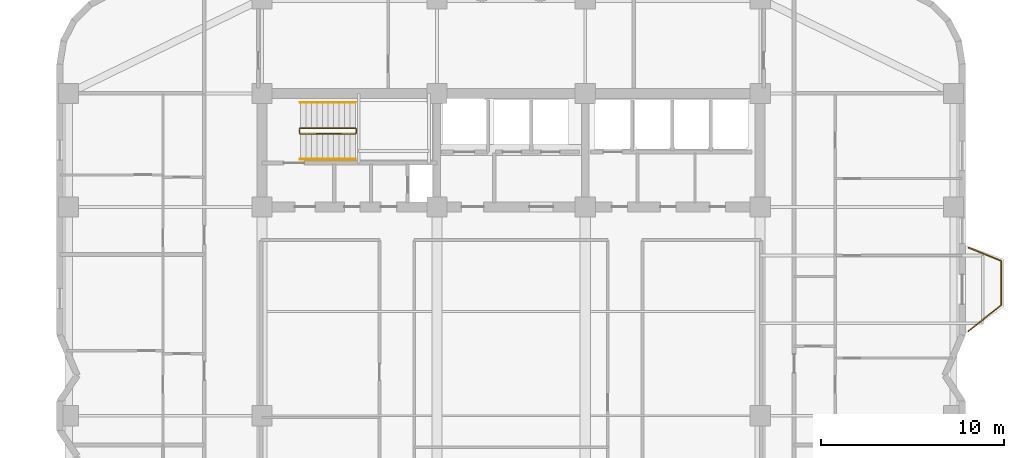
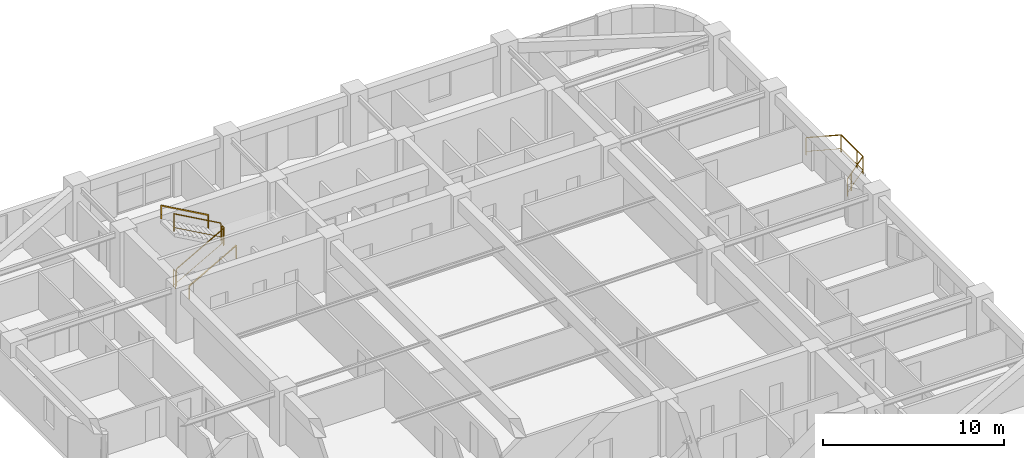
# One storey, part 15 of 15: 7 railings.
"""IFC4 building model written with IfcOpenShell, lengths in metres."""

from ifc_helpers import new_model, si_unit, direction, frame, origin, origin_2d, place, context, subcontext, project, spatial, rectangle, extrude, material, type_object, element, save


model = new_model("IFC4")

# Units and contexts
model_context = context("Model", 3, precision=1e-05, world=origin(), true_north=direction((0.0, 1.0)))
body_context = subcontext(model_context, "Body", "Model", "MODEL_VIEW")
ifc_project = project(units=[si_unit("LENGTHUNIT", "METRE"), si_unit("AREAUNIT", "SQUARE_METRE"), si_unit("VOLUMEUNIT", "CUBIC_METRE"), si_unit("PLANEANGLEUNIT", "RADIAN"), si_unit("MASSUNIT", "GRAM", prefix="KILO")], contexts=[model_context])

# Site, building, storey
site_placement = place(None, origin())
site = spatial("IfcSite", under=ifc_project, at=site_placement, CompositionType="ELEMENT")
building_placement = place(site_placement, origin())
building = spatial("IfcBuilding", under=site, at=building_placement, Name="Svetorya Sky Lyceum", CompositionType="ELEMENT")
storey_placement = place(building_placement, frame((0.0, 0.0, 99.39990234375)))
storey = spatial("IfcBuildingStorey", under=building, at=storey_placement, Name="L24", CompositionType="ELEMENT", Elevation=99.39990234375)

# Railings
ifc_material_1 = material(Name="Laminated safety glass and stainless AISI 316", Category="glass")
railing_type_1 = type_object("IfcRailingType", Name="RL-BAL-1200", PredefinedType="BALUSTRADE", material=ifc_material_1)
railing_1_placement = place(storey_placement, frame((64.169921875, 37.3798828125, 0.0)))
element("IfcRailing", 1, at=railing_1_placement, inside=storey, type_object=railing_type_1, Name="L24 Balcony Balustrade BAL-E1", PredefinedType="BALUSTRADE", context=body_context, shape_type="SweptSolid", body=[
    extrude(rectangle(XDim=0.048095703125, YDim=0.048095703125, at=origin_2d()), frame((0.0, 0.0, 1.17578125), z_axis=(0.926697865975, -0.375807218129, 0.0), x_axis=(0.375807218129, 0.926697865975, 0.0)), (0.0, 0.0, 1.0), 1.9423828125),
    extrude(rectangle(XDim=0.02392578125, YDim=0.02392578125, at=origin_2d()), frame((0.0, 0.0, 0.25), z_axis=(0.926697865975, -0.375807218129, 0.0), x_axis=(0.375807218129, 0.926697865975, 0.0)), (0.0, 0.0, 1.0), 1.9423828125),
    extrude(rectangle(XDim=0.048095703125, YDim=0.048095703125, at=origin_2d()), frame((1.800048828125, -0.72998046875, 1.17578125), z_axis=(0.0, -1.0, 0.0), x_axis=(1.0, 0.0, 0.0)), (0.0, 0.0, 1.0), 2.39990234375),
    extrude(rectangle(XDim=0.02392578125, YDim=0.02392578125, at=origin_2d()), frame((1.800048828125, -0.72998046875, 0.25), z_axis=(0.0, -1.0, 0.0), x_axis=(1.0, 0.0, 0.0)), (0.0, 0.0, 1.0), 2.39990234375),
    extrude(rectangle(XDim=0.048095703125, YDim=0.048095703125, at=origin_2d()), frame((1.800048828125, -3.1298828125, 1.17578125), z_axis=(-0.783008919264, -0.622010476079, 0.0), x_axis=(0.622010476079, -0.783008919264, 0.0)), (0.0, 0.0, 1.0), 2.298828125),
    extrude(rectangle(XDim=0.02392578125, YDim=0.02392578125, at=origin_2d()), frame((1.800048828125, -3.1298828125, 0.25), z_axis=(-0.783008919264, -0.622010476079, 0.0), x_axis=(0.622010476079, -0.783008919264, 0.0)), (0.0, 0.0, 1.0), 2.298828125),
    extrude(rectangle(XDim=0.0419921875, YDim=0.0419921875, at=origin_2d()), origin(), (0.0, 0.0, 1.0), 1.15185546875),
    extrude(rectangle(XDim=0.0419921875, YDim=0.0419921875, at=origin_2d()), frame((1.800048828125, -0.72998046875, 0.0)), (0.0, 0.0, 1.0), 1.15185546875),
    extrude(rectangle(XDim=0.0419921875, YDim=0.0419921875, at=origin_2d()), frame((1.800048828125, -2.47998046875, 0.0)), (0.0, 0.0, 1.0), 1.15185546875),
    extrude(rectangle(XDim=0.0419921875, YDim=0.0419921875, at=origin_2d()), frame((1.800048828125, -3.1298828125, 0.0)), (0.0, 0.0, 1.0), 1.15185546875),
    extrude(rectangle(XDim=0.0419921875, YDim=0.0419921875, at=origin_2d()), frame((0.4296875, -4.218505859375, 0.0)), (0.0, 0.0, 1.0), 1.15185546875),
    extrude(rectangle(XDim=0.0419921875, YDim=0.0419921875, at=origin_2d()), frame((0.0, -4.559814453125, 0.0)), (0.0, 0.0, 1.0), 1.15185546875),
])
ifc_material_2 = material(Name="Painted galvanized stair well guard")
railing_type_2 = type_object("IfcRailingType", Name="RL-STR-GUARD-1200", PredefinedType="GUARDRAIL", material=ifc_material_2)
railing_2_placement = place(storey_placement, frame((27.699951171875, 43.60009765625, 0.168212890625)))
element("IfcRailing", 2, at=railing_2_placement, inside=storey, type_object=railing_type_2, Name="L24 ST-N stair guard 1", PredefinedType="GUARDRAIL", context=body_context, shape_type="SweptSolid", body=[
    extrude(rectangle(XDim=0.048095703125, YDim=0.048095703125, at=origin_2d()), frame((0.0, 0.0, 1.17578125), z_axis=(0.872272294576, 0.0, 0.489020494575), x_axis=(0.0, 1.0, 0.0)), (0.0, 0.0, 1.0), 3.439208984375),
    extrude(rectangle(XDim=0.02392578125, YDim=0.02392578125, at=origin_2d()), frame((0.0, 0.0, 0.25), z_axis=(0.872272294576, 0.0, 0.489020494575), x_axis=(0.0, 1.0, 0.0)), (0.0, 0.0, 1.0), 3.439208984375),
    extrude(rectangle(XDim=0.0419921875, YDim=0.0419921875, at=origin_2d()), origin(), (0.0, 0.0, 1.0), 1.15185546875),
    extrude(rectangle(XDim=0.0419921875, YDim=0.0419921875, at=origin_2d()), frame((3.0, 0.0, 1.681884765625)), (0.0, 0.0, 1.0), 1.15185546875),
])
railing_3_placement = place(storey_placement, frame((30.75, 43.64990234375, 1.85009765625)))
element("IfcRailing", 3, at=railing_3_placement, inside=storey, type_object=railing_type_2, Name="L24 ST-N stair guard 2", PredefinedType="GUARDRAIL", context=body_context, shape_type="SweptSolid", body=[
    extrude(rectangle(XDim=0.048095703125, YDim=0.048095703125, at=origin_2d()), frame((0.0, 0.0, 1.17578125), z_axis=(0.0, 1.0, 0.0), x_axis=(-1.0, 0.0, 0.0)), (0.0, 0.0, 1.0), 0.2001953125),
    extrude(rectangle(XDim=0.02392578125, YDim=0.02392578125, at=origin_2d()), frame((0.0, 0.0, 0.25), z_axis=(0.0, 1.0, 0.0), x_axis=(-1.0, 0.0, 0.0)), (0.0, 0.0, 1.0), 0.2001953125),
    extrude(rectangle(XDim=0.0419921875, YDim=0.0419921875, at=origin_2d()), origin(), (0.0, 0.0, 1.0), 1.15185546875),
    extrude(rectangle(XDim=0.0419921875, YDim=0.0419921875, at=origin_2d()), frame((0.0, 0.2001953125, 0.0)), (0.0, 0.0, 1.0), 1.15185546875),
])
railing_4_placement = place(storey_placement, frame((30.699951171875, 43.89990234375, 2.018310546875)))
element("IfcRailing", 4, at=railing_4_placement, inside=storey, type_object=railing_type_2, Name="L24 ST-N stair guard 3", PredefinedType="GUARDRAIL", context=body_context, shape_type="SweptSolid", body=[
    extrude(rectangle(XDim=0.048095703125, YDim=0.048095703125, at=origin_2d()), frame((0.0, 0.0, 1.17578125), z_axis=(-0.872272294576, 0.0, 0.489020494575), x_axis=(0.0, -1.0, 0.0)), (0.0, 0.0, 1.0), 3.439208984375),
    extrude(rectangle(XDim=0.02392578125, YDim=0.02392578125, at=origin_2d()), frame((0.0, 0.0, 0.25), z_axis=(-0.872272294576, 0.0, 0.489020494575), x_axis=(0.0, -1.0, 0.0)), (0.0, 0.0, 1.0), 3.439208984375),
    extrude(rectangle(XDim=0.0419921875, YDim=0.0419921875, at=origin_2d()), origin(), (0.0, 0.0, 1.0), 1.15185546875),
    extrude(rectangle(XDim=0.0419921875, YDim=0.0419921875, at=origin_2d()), frame((-3.0, 0.0, 1.681884765625)), (0.0, 0.0, 1.0), 1.15185546875),
])
railing_5_placement = place(storey_placement, frame((27.64990234375, 43.64990234375, 0.0)))
element("IfcRailing", 5, at=railing_5_placement, inside=storey, type_object=railing_type_2, Name="L24 ST-N stair guard 4", PredefinedType="GUARDRAIL", context=body_context, shape_type="SweptSolid", body=[
    extrude(rectangle(XDim=0.048095703125, YDim=0.048095703125, at=origin_2d()), frame((0.0, 0.0, 1.17578125), z_axis=(0.0, 1.0, 0.0), x_axis=(-1.0, 0.0, 0.0)), (0.0, 0.0, 1.0), 0.2001953125),
    extrude(rectangle(XDim=0.02392578125, YDim=0.02392578125, at=origin_2d()), frame((0.0, 0.0, 0.25), z_axis=(0.0, 1.0, 0.0), x_axis=(-1.0, 0.0, 0.0)), (0.0, 0.0, 1.0), 0.2001953125),
    extrude(rectangle(XDim=0.0419921875, YDim=0.0419921875, at=origin_2d()), origin(), (0.0, 0.0, 1.0), 1.15185546875),
    extrude(rectangle(XDim=0.0419921875, YDim=0.0419921875, at=origin_2d()), frame((0.0, 0.2001953125, 0.0)), (0.0, 0.0, 1.0), 1.15185546875),
])
ifc_material_3 = material(Name="Brushed stainless AISI 304 stair handrail")
railing_type_3 = type_object("IfcRailingType", Name="RL-STR-HAND-920", PredefinedType="HANDRAIL", material=ifc_material_3)
railing_6_placement = place(storey_placement, frame((27.699951171875, 42.199951171875, 0.168212890625)))
element("IfcRailing", 6, at=railing_6_placement, inside=storey, type_object=railing_type_3, Name="L24 ST-N stair handrail 1", PredefinedType="HANDRAIL", context=body_context, shape_type="SweptSolid", body=[
    extrude(rectangle(XDim=0.048095703125, YDim=0.048095703125, at=origin_2d()), frame((0.0, 0.0, 0.8759765625), z_axis=(0.872272294576, 0.0, 0.489020494575), x_axis=(0.0, 1.0, 0.0)), (0.0, 0.0, 1.0), 3.439208984375),
    extrude(rectangle(XDim=0.0419921875, YDim=0.0419921875, at=origin_2d()), origin(), (0.0, 0.0, 1.0), 0.851806640625),
    extrude(rectangle(XDim=0.0419921875, YDim=0.0419921875, at=origin_2d()), frame((3.0, 0.0, 1.681884765625)), (0.0, 0.0, 1.0), 0.851806640625),
])
railing_7_placement = place(storey_placement, frame((30.699951171875, 45.300048828125, 2.018310546875)))
element("IfcRailing", 7, at=railing_7_placement, inside=storey, type_object=railing_type_3, Name="L24 ST-N stair handrail 2", PredefinedType="HANDRAIL", context=body_context, shape_type="SweptSolid", body=[
    extrude(rectangle(XDim=0.048095703125, YDim=0.048095703125, at=origin_2d()), frame((0.0, 0.0, 0.8759765625), z_axis=(-0.872272294576, 0.0, 0.489020494575), x_axis=(0.0, -1.0, 0.0)), (0.0, 0.0, 1.0), 3.439208984375),
    extrude(rectangle(XDim=0.0419921875, YDim=0.0419921875, at=origin_2d()), origin(), (0.0, 0.0, 1.0), 0.851806640625),
    extrude(rectangle(XDim=0.0419921875, YDim=0.0419921875, at=origin_2d()), frame((-3.0, 0.0, 1.681884765625)), (0.0, 0.0, 1.0), 0.851806640625),
])

save(model, "model.ifc")
